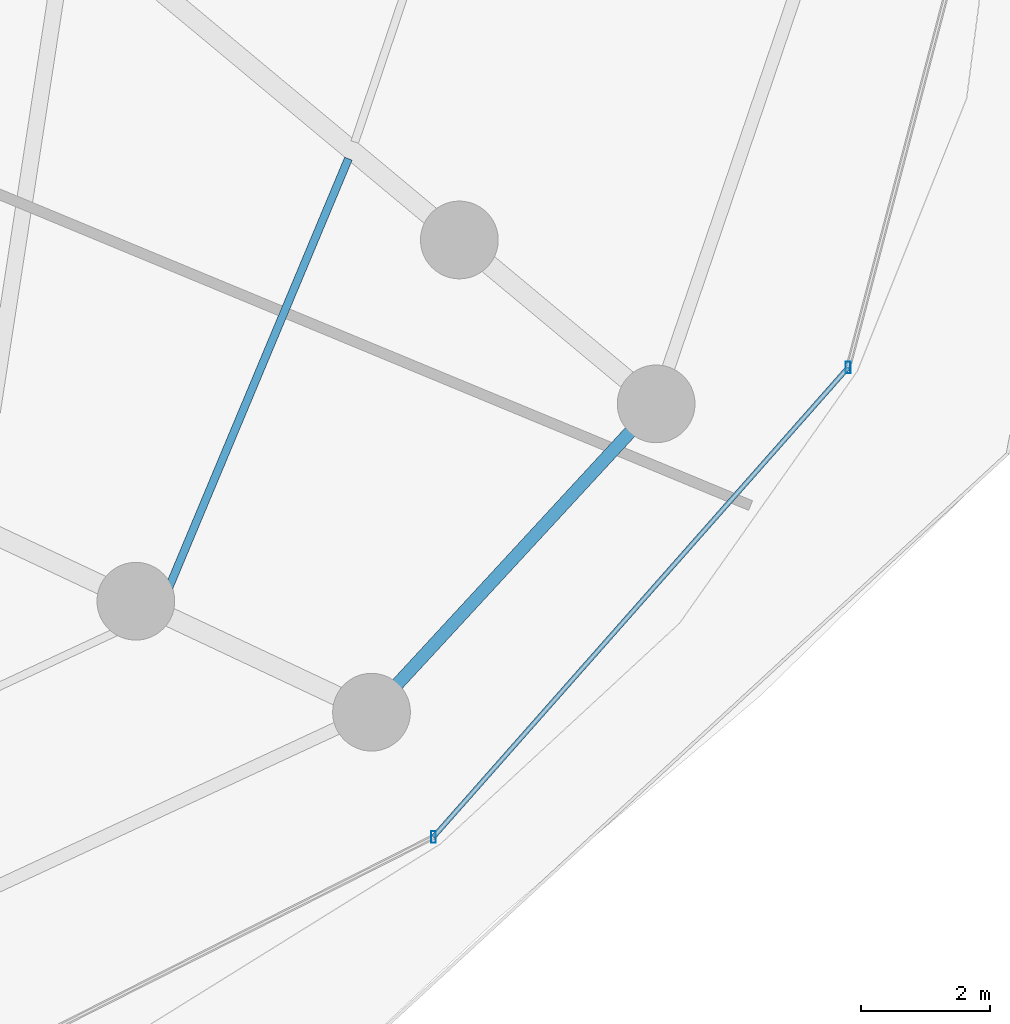
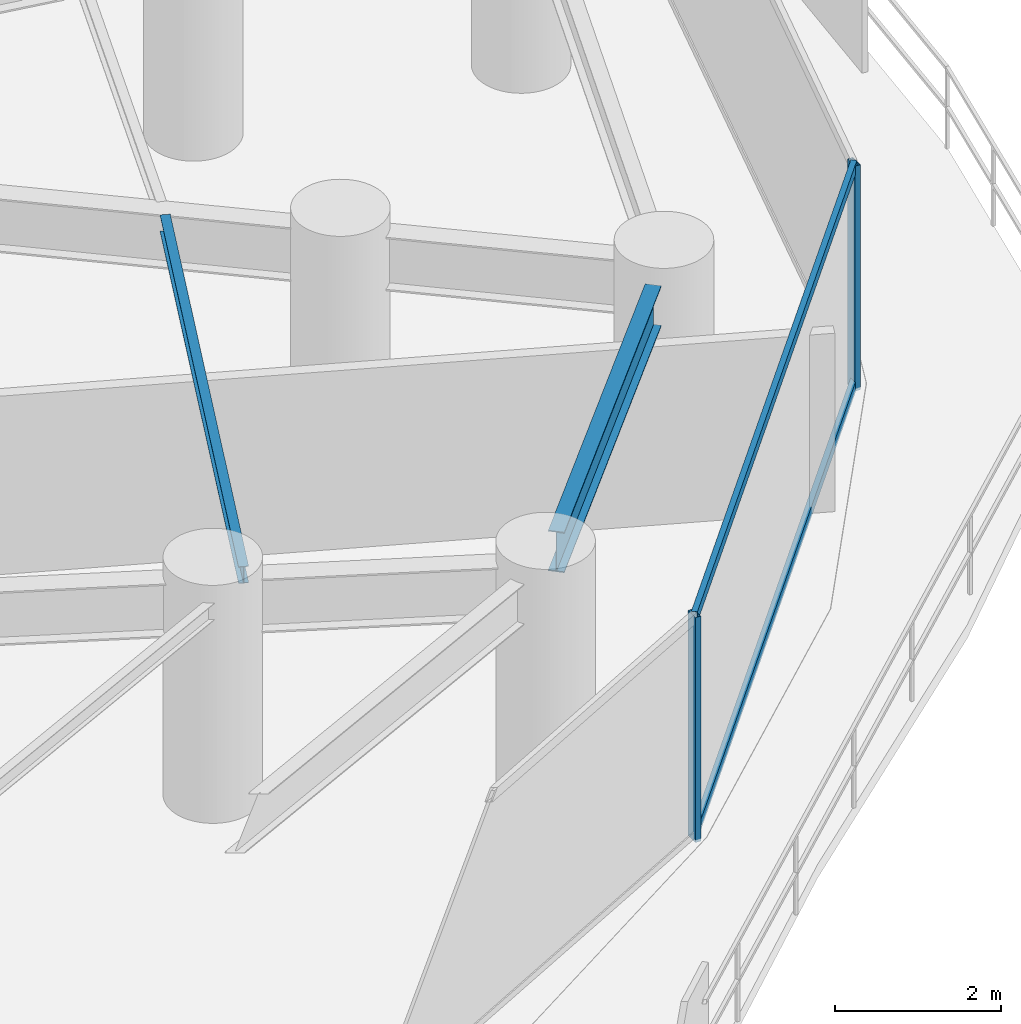
# One storey, part 14 of 35: 4 members, 2 beams, 1 element without a shape of its own.
"""IFC4 building model written with IfcOpenShell, lengths in metres."""

from ifc_helpers import new_model, si_unit, direction, frame, origin, origin_2d, place, context, subcontext, project, spatial, hollow_rectangle, i_section, extrude, material, material_profile, profile_set, type_object, element, aggregate, save


model = new_model("IFC4")

# Units and contexts
model_context = context("Model", 3, precision=1e-05, world=origin(), true_north=direction((0.0, 1.0)))
body_context = subcontext(model_context, "Body", "Model", "MODEL_VIEW")
ifc_project = project(units=[si_unit("LENGTHUNIT", "METRE"), si_unit("AREAUNIT", "SQUARE_METRE"), si_unit("VOLUMEUNIT", "CUBIC_METRE"), si_unit("PLANEANGLEUNIT", "RADIAN"), si_unit("MASSUNIT", "GRAM", prefix="KILO")], contexts=[model_context])

# Site, building, storey
site_placement = place(None, origin())
site = spatial("IfcSite", under=ifc_project, at=site_placement, CompositionType="ELEMENT")
building_placement = place(site_placement, origin())
building = spatial("IfcBuilding", under=site, at=building_placement, Name="Vorneva Point Tower", CompositionType="ELEMENT")
storey_placement = place(building_placement, frame((0.0, 0.0, 52.0)))
storey = spatial("IfcBuildingStorey", under=building, at=storey_placement, Name="L13", CompositionType="ELEMENT", Elevation=52.0)

# Beams
ifc_material_1 = material(Name="Steel S355", Category="steel")
ifc_material_profile_1 = material_profile(ifc_material_1, i_section(OverallWidth=0.1240234375, OverallDepth=0.248046875, WebThickness=0.0048828125, FlangeThickness=0.008056640625, at=origin_2d()), Name="25B1")
ifc_profile_set_1 = profile_set([ifc_material_profile_1], Name="Steel S355")
beam_type_1 = type_object("IfcBeamType", Name="BM-JST-25B1", PredefinedType="JOIST", material=ifc_profile_set_1)
beam_1_placement = place(storey_placement, frame((54.704833984375, 13.799072265625, 3.115966796875), z_axis=(0.386103727395, 0.922455371111, 0.0), x_axis=(-0.922455371111, 0.386103727395, 0.0)))
element("IfcBeam", 1, at=beam_1_placement, inside=storey, type_object=beam_type_1, Name="L13 Secondary Floor Beam 1.15", PredefinedType="JOIST", context=body_context, shape_type="SweptSolid", body=[
    extrude(i_section(OverallWidth=0.1240234375, OverallDepth=0.248046875, WebThickness=0.0048828125, FlangeThickness=0.008056640625, at=origin_2d()), origin(), (0.0, 0.0, 1.0), 7.451904296875),
])
ifc_material_profile_2 = material_profile(ifc_material_1, i_section(OverallWidth=0.198974609375, OverallDepth=0.595947265625, WebThickness=0.010009765625, FlangeThickness=0.014892578125, at=origin_2d()), Name="60B1")
ifc_profile_set_2 = profile_set([ifc_material_profile_2], Name="Steel S355")
beam_type_2 = type_object("IfcBeamType", Name="BM-SPN-60B1", PredefinedType="SPANDREL", material=ifc_profile_set_2)
beam_2_placement = place(storey_placement, frame((58.33544921875, 12.553955078125, 2.94189453125), z_axis=(0.678272466193, 0.734810493668, 0.0), x_axis=(-0.734810493668, 0.678272466193, 0.0)))
element("IfcBeam", 2, at=beam_2_placement, inside=storey, type_object=beam_type_2, Name="L13 Perimeter Spandrel Ring Beam 15", PredefinedType="SPANDREL", context=body_context, shape_type="SweptSolid", body=[
    extrude(i_section(OverallWidth=0.198974609375, OverallDepth=0.595947265625, WebThickness=0.010009765625, FlangeThickness=0.014892578125, at=origin_2d()), origin(), (0.0, 0.0, 1.0), 5.311279296875),
])

# Curtain wall, members
ifc_material_2 = material(Name="Pale anodised aluminium", Category="aluminium")
curtain_wall_type = type_object("IfcCurtainWallType", Name="CW-HTL-SYS", PredefinedType="NOTDEFINED", material=ifc_material_2)
curtain_wall_placement = place(storey_placement, origin())
curtain_wall = element("IfcCurtainWall", 3, at=curtain_wall_placement, inside=storey, type_object=curtain_wall_type, Name="L13 Unitised Curtain Wall CW-L13-R01", PredefinedType="NOTDEFINED")
ifc_material_profile_3 = material_profile(ifc_material_2, hollow_rectangle(XDim=0.074951171875, YDim=0.179931640625, WallThickness=0.00390625, at=origin_2d()), Name="AL-MUL 180x75x4")
ifc_profile_set_3 = profile_set([ifc_material_profile_3], Name="Pale anodised aluminium")
member_type_1 = type_object("IfcMemberType", Name="CW-MUL-180", PredefinedType="MULLION", material=ifc_profile_set_3)
member_1_placement = place(storey_placement, frame((58.89501953125, 10.1962890625, -0.0400390625), z_axis=(0.0, 0.0, 1.0), x_axis=(1.0, 0.0, 0.0)))
member_1 = element("IfcMember", 4, at=member_1_placement, type_object=member_type_1, Name="CW-L13-R01 Mullion 02", PredefinedType="MULLION", context=body_context, shape_type="SweptSolid", body=[
    extrude(hollow_rectangle(XDim=0.074951171875, YDim=0.179931640625, WallThickness=0.00390625, at=origin_2d()), origin(), (0.0, 0.0, 1.0), 3.31005859375),
])
member_2_placement = place(storey_placement, frame((65.300537109375, 17.447021484375, -0.0400390625), z_axis=(0.0, 0.0, 1.0), x_axis=(1.0, 0.0, 0.0)))
member_2 = element("IfcMember", 5, at=member_2_placement, type_object=member_type_1, Name="CW-L13-R01 Mullion 03", PredefinedType="MULLION", context=body_context, shape_type="SweptSolid", body=[
    extrude(hollow_rectangle(XDim=0.074951171875, YDim=0.179931640625, WallThickness=0.00390625, at=origin_2d()), origin(), (0.0, 0.0, 1.0), 3.31005859375),
])
ifc_material_profile_4 = material_profile(ifc_material_2, hollow_rectangle(XDim=0.074951171875, YDim=0.14990234375, WallThickness=0.00390625, at=origin_2d()), Name="AL-TRN 150x75x4")
ifc_profile_set_4 = profile_set([ifc_material_profile_4], Name="Pale anodised aluminium")
member_type_2 = type_object("IfcMemberType", Name="CW-TRN-150", PredefinedType="USERDEFINED", material=ifc_profile_set_4)
member_3_placement = place(storey_placement, frame((58.89501953125, 10.1962890625, 0.02001953125), z_axis=(0.662075539029, 0.749437109182, 0.0), x_axis=(-0.749437109182, 0.662075539029, 0.0)))
member_3 = element("IfcMember", 6, at=member_3_placement, type_object=member_type_2, Name="CW-L13-R01 Transom 02.1", ObjectType="TRANSOM", PredefinedType="USERDEFINED", context=body_context, shape_type="SweptSolid", body=[
    extrude(hollow_rectangle(XDim=0.074951171875, YDim=0.14990234375, WallThickness=0.00390625, at=origin_2d()), origin(), (0.0, 0.0, 1.0), 9.6748046875),
])
member_4_placement = place(storey_placement, frame((58.89501953125, 10.1962890625, 3.219970703125), z_axis=(0.662075539029, 0.749437109182, 0.0), x_axis=(-0.749437109182, 0.662075539029, 0.0)))
member_4 = element("IfcMember", 7, at=member_4_placement, type_object=member_type_2, Name="CW-L13-R01 Transom 02.2", ObjectType="TRANSOM", PredefinedType="USERDEFINED", context=body_context, shape_type="SweptSolid", body=[
    extrude(hollow_rectangle(XDim=0.074951171875, YDim=0.14990234375, WallThickness=0.00390625, at=origin_2d()), origin(), (0.0, 0.0, 1.0), 9.6748046875),
])
aggregate(curtain_wall, [member_1, member_2, member_3, member_4])

save(model, "model.ifc")
